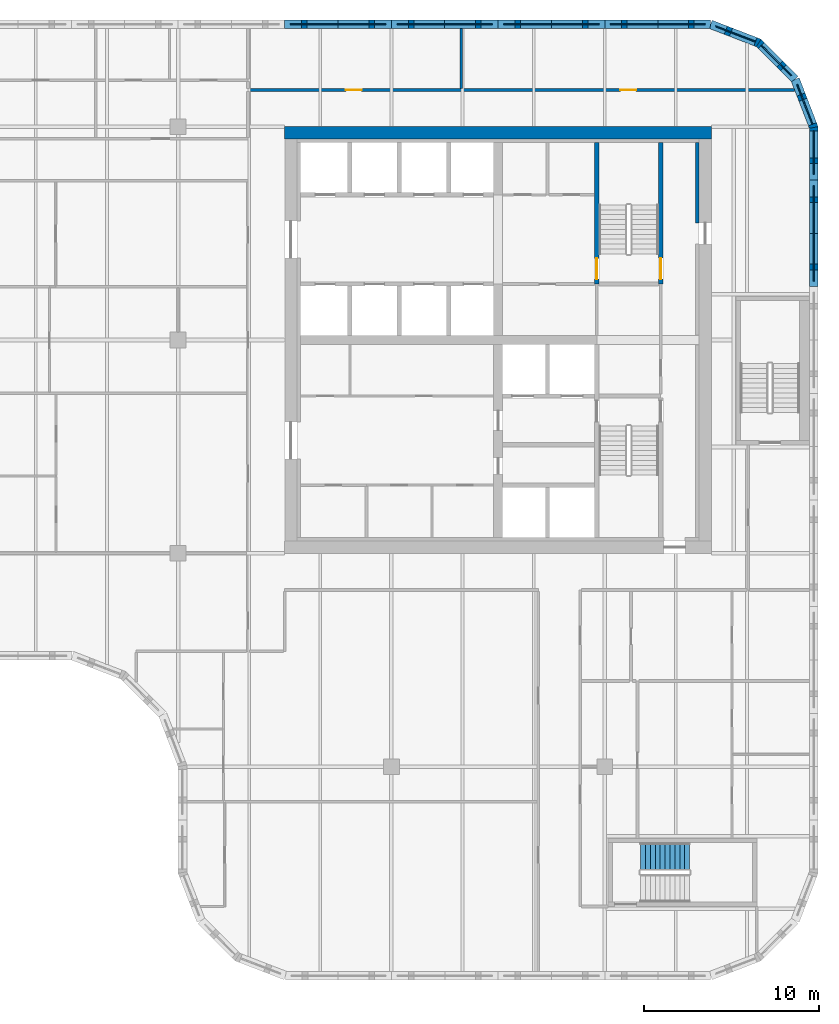
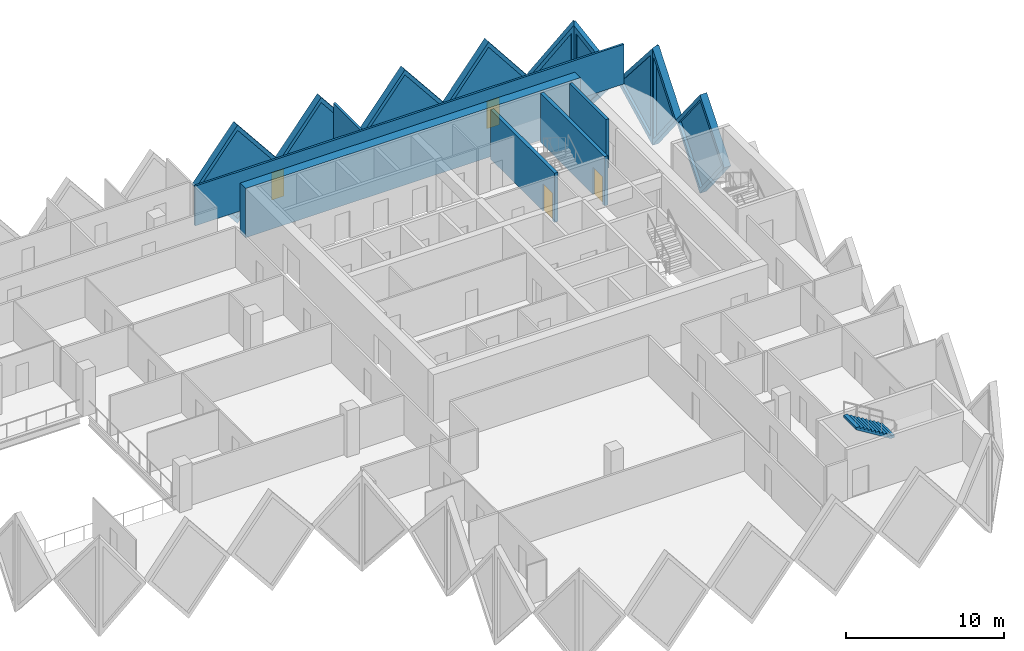
# One storey, part 10 of 12: 15 walls, 9 plates, 4 doors, 1 stair flight, 13 openings, 1 element without a shape of its own.
"""IFC4 building model written with IfcOpenShell, lengths in metres."""

from ifc_helpers import new_model, si_unit, direction, frame, frame_2d, origin, place, context, subcontext, project, spatial, polyline, rectangle, outline, extrude, faceted_brep, source, transform, mapped, material, layer, layer_set, type_object, element, fill, aggregate, save


model = new_model("IFC4")

# Units and contexts
model_context = context("Model", 3, precision=1e-05, world=origin(), true_north=direction((0.0, 1.0)))
body_context = subcontext(model_context, "Body", "Model", "MODEL_VIEW")
ifc_project = project(units=[si_unit("LENGTHUNIT", "METRE"), si_unit("AREAUNIT", "SQUARE_METRE"), si_unit("VOLUMEUNIT", "CUBIC_METRE"), si_unit("PLANEANGLEUNIT", "RADIAN"), si_unit("MASSUNIT", "GRAM", prefix="KILO")], contexts=[model_context])

# Site, building, storey
site_placement = place(None, origin())
site = spatial("IfcSite", under=ifc_project, at=site_placement, CompositionType="ELEMENT")
building_placement = place(site_placement, origin())
building = spatial("IfcBuilding", under=site, at=building_placement, Name="Tessera Gate Towers", CompositionType="ELEMENT")
storey_placement = place(building_placement, frame((0.0, 0.0, 139.199951171875)))
storey = spatial("IfcBuildingStorey", under=building, at=storey_placement, Name="L34", CompositionType="ELEMENT", Elevation=139.199951171875)

# Wall, opening, door
ifc_material_1 = material(Name="Concrete C40/50", Category="concrete")
ifc_layer_1 = layer(ifc_material_1, 0.25)
ifc_layer_set_1 = layer_set([ifc_layer_1], Name="CORE ENCLOSURE WALL 250")
wall_type_1 = type_object("IfcWallType", Name="CORE ENCLOSURE WALL 250", PredefinedType="SOLIDWALL", material=ifc_layer_set_1)
wall_1_placement = place(storey_placement, frame((48.35009765625, 47.89990234375, 0.0), z_axis=(0.0, 0.0, 1.0), x_axis=(0.0, -1.0, 0.0)))
wall_1 = element("IfcWall", 1, at=wall_1_placement, inside=storey, type_object=wall_type_1, Name="L34 shaft and stair enclosure wall", PredefinedType="SOLIDWALL", context=body_context, shape_type="SweptSolid", body=[
    extrude(rectangle(XDim=8.099853515625, YDim=0.25, at=frame_2d((4.0498046875, 0.0))), origin(), (0.0, 0.0, 1.0), 3.800048828125),
])
shared_shape_1 = source(origin(), body_context, "Body", "SweptSolid", [
    extrude(rectangle(XDim=1.199951171875, YDim=2.10009765625, at=frame_2d((0.60009765625, 1.050048828125))), frame((0.0, 0.135009765625, 0.0), z_axis=(0.0, -1.0, 0.0), x_axis=(1.0, 0.0, 0.0)), (0.0, 0.0, 1.0), 0.27001953125),
])
opening_1_placement = place(wall_1_placement, frame((6.625, 0.0, 0.0)))
opening_1 = element("IfcOpeningElement", 2, at=opening_1_placement, cuts=wall_1, Name="Opening SD-ST2-1", PredefinedType="OPENING", context=body_context, shape_type="MappedRepresentation", body=[
    mapped(shared_shape_1, transform((0.0, 0.0, 0.0), scale=1.0)),
])
ifc_material_2 = material(Name="Hollow steel fire door", Category="steel")
door_type_1 = type_object("IfcDoorType", Name="CORE DOOR SD 1200x2100", OperationType="NOTDEFINED", PredefinedType="DOOR", material=ifc_material_2)
shared_shape_2 = source(origin(), body_context, "Body", "SweptSolid", [
    extrude(rectangle(XDim=1.199951171875, YDim=2.10009765625, at=frame_2d((0.60009765625, 1.050048828125))), frame((0.0, 0.02490234375, 0.0), z_axis=(0.0, -1.0, 0.0), x_axis=(1.0, 0.0, 0.0)), (0.0, 0.0, 1.0), 0.050048828125),
])
door_1_placement = place(opening_1_placement, origin())
door_1 = element("IfcDoor", 3, at=door_1_placement, inside=storey, type_object=door_type_1, Name="Stair door", OperationType="SINGLE_SWING_RIGHT", OverallHeight=2.10009765625, OverallWidth=1.199951171875, PredefinedType="DOOR", context=body_context, shape_type="MappedRepresentation", body=[
    mapped(shared_shape_2, transform((0.0, 0.0, 0.0), scale=1.0)),
])
fill(opening_1, door_1)

wall_2_placement = place(storey_placement, frame((52.0, 39.800048828125, 0.0), z_axis=(0.0, 0.0, 1.0), x_axis=(0.0, 1.0, 0.0)))
wall_2 = element("IfcWall", 4, at=wall_2_placement, inside=storey, type_object=wall_type_1, Name="L34 shaft and stair enclosure wall", PredefinedType="SOLIDWALL", context=body_context, shape_type="SweptSolid", body=[
    extrude(rectangle(XDim=8.099853515625, YDim=0.25, at=frame_2d((4.0498046875, 0.0))), origin(), (0.0, 0.0, 1.0), 3.800048828125),
])
opening_2_placement = place(wall_2_placement, frame((0.27490234375, 0.0, 0.0)))
opening_2 = element("IfcOpeningElement", 5, at=opening_2_placement, cuts=wall_2, Name="Opening SD-ST2-2", PredefinedType="OPENING", context=body_context, shape_type="MappedRepresentation", body=[
    mapped(shared_shape_1, transform((0.0, 0.0, 0.0), scale=1.0)),
])
door_2_placement = place(opening_2_placement, origin())
door_2 = element("IfcDoor", 6, at=door_2_placement, inside=storey, type_object=door_type_1, Name="Stair door", OperationType="SINGLE_SWING_LEFT", OverallHeight=2.10009765625, OverallWidth=1.199951171875, PredefinedType="DOOR", context=body_context, shape_type="MappedRepresentation", body=[
    mapped(shared_shape_2, transform((0.0, 0.0, 0.0), scale=1.0)),
])
fill(opening_2, door_2)

# Walls
ifc_material_3 = material(Name="Concrete C60/75", Category="concrete")
ifc_layer_2 = layer(ifc_material_3, 0.699951171875)
ifc_layer_set_2 = layer_set([ifc_layer_2], Name="CORE SHEAR WALL 700 C60/75")
wall_type_2 = type_object("IfcWallType", Name="CORE SHEAR WALL 700 C60/75", PredefinedType="SHEAR", material=ifc_layer_set_2)
wall_3_placement = place(storey_placement, frame((30.5, 48.449951171875, 0.0), z_axis=(0.0, 0.0, 1.0), x_axis=(1.0, 0.0, 0.0)))
element("IfcWall", 7, at=wall_3_placement, inside=storey, type_object=wall_type_2, Name="Core wall N L34", PredefinedType="SHEAR", context=body_context, shape_type="SweptSolid", body=[
    extrude(rectangle(XDim=24.39990234375, YDim=0.699951171875, at=frame_2d((12.199951171875, 0.0))), origin(), (0.0, 0.0, 1.0), 3.800048828125),
])
ifc_material_4 = material(Name="Concrete C60/75", Category="concrete")
ifc_layer_3 = layer(ifc_material_4, 0.199951171875)
ifc_layer_set_3 = layer_set([ifc_layer_3], Name="CORE WALL THICKENING 200")
wall_type_3 = type_object("IfcWallType", Name="CORE WALL THICKENING 200", PredefinedType="SOLIDWALL", material=ifc_layer_set_3)
wall_4_placement = place(storey_placement, frame((54.10009765625, 43.300048828125, 0.0), z_axis=(0.0, 0.0, 1.0), x_axis=(0.0, 1.0, 0.0)))
element("IfcWall", 8, at=wall_4_placement, inside=storey, type_object=wall_type_3, Name="Core wall thickening E L34", PredefinedType="SOLIDWALL", context=body_context, shape_type="SweptSolid", body=[
    extrude(rectangle(XDim=4.599853515625, YDim=0.199951171875, at=frame_2d((2.2998046875, 0.0))), origin(), (0.0, 0.0, 1.0), 3.800048828125),
])

# Wall, openings, doors
ifc_material_5 = material(Name="Gypsum board on steel studs, mineral wool", Category="steel")
ifc_layer_4 = layer(ifc_material_5, 0.14990234375)
ifc_layer_set_4 = layer_set([ifc_layer_4], Name="CORRIDOR WALL 150")
wall_type_4 = type_object("IfcWallType", Name="CORRIDOR WALL 150", PredefinedType="PARTITIONING", material=ifc_layer_set_4)
wall_5_placement = place(storey_placement, frame((28.39990234375, 50.89990234375, 0.0), z_axis=(0.0, 0.0, 1.0), x_axis=(1.0, 0.0, 0.0)))
wall_5 = element("IfcWall", 9, at=wall_5_placement, inside=storey, type_object=wall_type_4, Name="T1-L34-PW-050", PredefinedType="PARTITIONING", context=body_context, shape_type="SweptSolid", body=[
    extrude(rectangle(XDim=31.254150390625, YDim=0.14990234375, at=frame_2d((15.626953125, 0.0))), origin(), (0.0, 0.0, 1.0), 3.067138671875),
])
shared_shape_3 = source(origin(), body_context, "Body", "SweptSolid", [
    extrude(rectangle(XDim=0.89990234375, YDim=2.10009765625, at=frame_2d((0.449951171875, 1.050048828125))), frame((0.0, 0.0849609375, 0.0), z_axis=(0.0, -1.0, 0.0), x_axis=(1.0, 0.0, 0.0)), (0.0, 0.0, 1.0), 0.169921875),
])
opening_3_placement = place(wall_5_placement, frame((5.60009765625, 0.0, 0.0)))
opening_3 = element("IfcOpeningElement", 10, at=opening_3_placement, cuts=wall_5, Name="Opening D890FD60-A12-09", PredefinedType="OPENING", context=body_context, shape_type="MappedRepresentation", body=[
    mapped(shared_shape_3, transform((0.0, 0.0, 0.0), scale=1.0)),
])
opening_4_placement = place(wall_5_placement, frame((21.300048828125, 0.0, 0.0)))
opening_4 = element("IfcOpeningElement", 11, at=opening_4_placement, cuts=wall_5, Name="Opening D890FD60-A12-10", PredefinedType="OPENING", context=body_context, shape_type="MappedRepresentation", body=[
    mapped(shared_shape_3, transform((0.0, 0.0, 0.0), scale=1.0)),
])
ifc_material_6 = material(Name="Timber door leaf in steel frame", Category="steel")
door_type_2 = type_object("IfcDoorType", Name="CORRIDOR DOOR 900 FD60", OperationType="NOTDEFINED", PredefinedType="DOOR", material=ifc_material_6)
shared_shape_4 = source(origin(), body_context, "Body", "SweptSolid", [
    extrude(rectangle(XDim=0.89990234375, YDim=2.10009765625, at=frame_2d((0.449951171875, 1.050048828125))), frame((0.0, 0.02490234375, 0.0), z_axis=(0.0, -1.0, 0.0), x_axis=(1.0, 0.0, 0.0)), (0.0, 0.0, 1.0), 0.050048828125),
])
door_3_placement = place(opening_3_placement, origin())
door_3 = element("IfcDoor", 12, at=door_3_placement, inside=storey, type_object=door_type_2, Name="T1-L34-PD-029", OperationType="SINGLE_SWING_LEFT", OverallHeight=2.10009765625, OverallWidth=0.89990234375, PredefinedType="DOOR", context=body_context, shape_type="MappedRepresentation", body=[
    mapped(shared_shape_4, transform((0.0, 0.0, 0.0), scale=1.0)),
])
fill(opening_3, door_3)
door_4_placement = place(opening_4_placement, origin())
door_4 = element("IfcDoor", 13, at=door_4_placement, inside=storey, type_object=door_type_2, Name="T1-L34-PD-032", OperationType="SINGLE_SWING_LEFT", OverallHeight=2.10009765625, OverallWidth=0.89990234375, PredefinedType="DOOR", context=body_context, shape_type="MappedRepresentation", body=[
    mapped(shared_shape_4, transform((0.0, 0.0, 0.0), scale=1.0)),
])
fill(opening_4, door_4)

# Wall
ifc_material_7 = material(Name="Gypsum board on steel studs, mineral wool", Category="steel")
ifc_layer_5 = layer(ifc_material_7, 0.14990234375)
ifc_layer_set_5 = layer_set([ifc_layer_5], Name="TENANCY WALL 150")
wall_type_5 = type_object("IfcWallType", Name="TENANCY WALL 150", PredefinedType="PARTITIONING", material=ifc_layer_set_5)
wall_6_placement = place(storey_placement, frame((40.60009765625, 50.97607421875, 0.0), z_axis=(0.0, 0.0, 1.0), x_axis=(0.0, 1.0, 0.0)))
element("IfcWall", 14, at=wall_6_placement, inside=storey, type_object=wall_type_5, Name="T1-L34-PW-052", PredefinedType="PARTITIONING", context=body_context, shape_type="SweptSolid", body=[
    extrude(rectangle(XDim=3.423828125, YDim=0.14990234375, at=frame_2d((1.7119140625, 0.0))), origin(), (0.0, 0.0, 1.0), 3.067138671875),
])

# Wall, opening, plate
ifc_material_8 = material(Name="Precast concrete C60/75 white", Category="concrete")
ifc_layer_6 = layer(ifc_material_8, 0.5)
ifc_layer_set_6 = layer_set([ifc_layer_6], Name="TS1 tessera")
wall_type_6 = type_object("IfcWallType", Name="TS1 tessera", PredefinedType="SOLIDWALL", material=ifc_layer_set_6)
shared_shape_5 = source(origin(), body_context, "Body", "Brep", [
    faceted_brep([(3.00341796875, -0.25, 0.0), (6.053466796875, -0.25, 3.800048828125), (3.00341796875, -0.25, 7.60009765625), (0.0, -0.25, 3.800048828125), (0.046630859375, 0.25, 3.85888671875), (3.00341796875, 0.25, 7.60009765625), (6.053466796875, 0.25, 3.800048828125), (3.00341796875, 0.25, 0.0), (0.046630859375, 0.25, 3.7412109375), (0.0, 0.0, 3.800048828125)], [[[0, 1, 2, 3]], [[4, 5, 6, 7, 8]], [[7, 6, 1, 0]], [[6, 5, 2, 1]], [[5, 4, 9, 3, 2]], [[8, 7, 0, 3, 9]], [[8, 9, 4]]]),
])
wall_7_placement = place(storey_placement, frame((54.853515625, 54.64990234375, -3.800048828125), z_axis=(0.0, 0.0, 1.0), x_axis=(-1.0, 0.0, 0.0)))
wall_7 = element("IfcWall", 15, at=wall_7_placement, inside=storey, type_object=wall_type_6, Name="Precast tessera T1 TS1-0585", PredefinedType="SOLIDWALL", context=body_context, shape_type="MappedRepresentation", body=[
    mapped(shared_shape_5, transform((0.0, 0.0, 0.0), scale=1.0)),
])
shared_shape_6 = source(origin(), body_context, "Body", "SweptSolid", [
    extrude(outline(polyline([(3.0048828125, 0.4013671875), (5.73291015625, 3.800048828125), (3.0048828125, 7.19873046875), (0.318603515625, 3.800048828125), (3.0048828125, 0.4013671875)])), frame((0.0, 0.260009765625, 0.0), z_axis=(0.0, -1.0, 0.0), x_axis=(1.0, 0.0, 0.0)), (0.0, 0.0, 1.0), 0.52001953125),
])
opening_5_placement = place(wall_7_placement, origin())
opening_5 = element("IfcOpeningElement", 16, at=opening_5_placement, cuts=wall_7, Name="Opening T1-PL2-1193", PredefinedType="OPENING", context=body_context, shape_type="MappedRepresentation", body=[
    mapped(shared_shape_6, transform((0.0, 0.0, 0.0), scale=1.0)),
])
ifc_material_9 = material(Name="Low-e laminated glass", Category="glass")
ifc_layer_7 = layer(ifc_material_9, 0.06005859375)
ifc_layer_set_7 = layer_set([ifc_layer_7], Name="PL2 rhombic pane")
plate_type = type_object("IfcPlateType", Name="PL2 rhombic pane", PredefinedType="SHEET", material=ifc_layer_set_7)
shared_shape_7 = source(origin(), body_context, "Body", "SweptSolid", [
    extrude(outline(polyline([(3.0048828125, 0.4013671875), (5.73291015625, 3.800048828125), (3.0048828125, 7.19873046875), (0.318603515625, 3.800048828125), (3.0048828125, 0.4013671875)])), frame((0.0, 0.030029296875, 0.0), z_axis=(0.0, -1.0, 0.0), x_axis=(1.0, 0.0, 0.0)), (0.0, 0.0, 1.0), 0.06005859375),
])
plate_1_placement = place(opening_5_placement, origin())
plate_1 = element("IfcPlate", 17, at=plate_1_placement, inside=storey, type_object=plate_type, Name="Glass pane T1 PL2-1193", PredefinedType="SHEET", context=body_context, shape_type="MappedRepresentation", body=[
    mapped(shared_shape_7, transform((0.0, 0.0, 0.0), scale=1.0)),
])
fill(opening_5, plate_1)

shared_shape_8 = source(origin(), body_context, "Body", "Brep", [
    faceted_brep([(3.050048828125, -0.25, 0.0), (6.099853515625, -0.25, 3.7998046875), (6.099853515625, -0.25, 3.80029296875), (3.050048828125, -0.25, 7.60009765625), (0.0, -0.25, 3.800048828125), (0.0, 0.25, 3.800048828125), (3.050048828125, 0.25, 7.60009765625), (6.099853515625, 0.25, 3.80029296875), (6.099853515625, 0.25, 3.7998046875), (3.050048828125, 0.25, 0.0)], [[[0, 1, 2, 3, 4]], [[5, 6, 7, 8, 9]], [[9, 8, 1, 0]], [[7, 6, 3, 2]], [[6, 5, 4, 3]], [[5, 9, 0, 4]], [[1, 8, 7, 2]]]),
])
wall_8_placement = place(storey_placement, frame((42.699951171875, 54.64990234375, -3.800048828125), z_axis=(0.0, 0.0, 1.0), x_axis=(-1.0, 0.0, 0.0)))
wall_8 = element("IfcWall", 18, at=wall_8_placement, inside=storey, type_object=wall_type_6, Name="Precast tessera T1 TS1-0587", PredefinedType="SOLIDWALL", context=body_context, shape_type="MappedRepresentation", body=[
    mapped(shared_shape_8, transform((0.0, 0.0, 0.0), scale=1.0)),
])
shared_shape_9 = source(origin(), body_context, "Body", "SweptSolid", [
    extrude(outline(polyline([(3.050048828125, 0.3994140625), (5.779541015625, 3.800048828125), (3.050048828125, 7.20068359375), (0.320556640625, 3.800048828125), (3.050048828125, 0.3994140625)])), frame((0.0, 0.260009765625, 0.0), z_axis=(0.0, -1.0, 0.0), x_axis=(1.0, 0.0, 0.0)), (0.0, 0.0, 1.0), 0.52001953125),
])
opening_6_placement = place(wall_8_placement, origin())
opening_6 = element("IfcOpeningElement", 19, at=opening_6_placement, cuts=wall_8, Name="Opening T1-PL2-1195", PredefinedType="OPENING", context=body_context, shape_type="MappedRepresentation", body=[
    mapped(shared_shape_9, transform((0.0, 0.0, 0.0), scale=1.0)),
])
shared_shape_10 = source(origin(), body_context, "Body", "SweptSolid", [
    extrude(outline(polyline([(3.050048828125, 0.3994140625), (5.779541015625, 3.800048828125), (3.050048828125, 7.20068359375), (0.320556640625, 3.800048828125), (3.050048828125, 0.3994140625)])), frame((0.0, 0.030029296875, 0.0), z_axis=(0.0, -1.0, 0.0), x_axis=(1.0, 0.0, 0.0)), (0.0, 0.0, 1.0), 0.06005859375),
])
plate_2_placement = place(opening_6_placement, origin())
plate_2 = element("IfcPlate", 20, at=plate_2_placement, inside=storey, type_object=plate_type, Name="Glass pane T1 PL2-1195", PredefinedType="SHEET", context=body_context, shape_type="MappedRepresentation", body=[
    mapped(shared_shape_10, transform((0.0, 0.0, 0.0), scale=1.0)),
])
fill(opening_6, plate_2)

shared_shape_11 = source(origin(), body_context, "Body", "SweptSolid", [
    extrude(outline(polyline([(3.050048828125, 0.0), (6.10009765625, 3.800048828125), (3.050048828125, 7.60009765625), (0.0, 3.800048828125), (3.050048828125, 0.0)])), frame((0.0, 0.25, 0.0), z_axis=(0.0, -1.0, 0.0), x_axis=(1.0, 0.0, 0.0)), (0.0, 0.0, 1.0), 0.5),
])
wall_9_placement = place(storey_placement, frame((60.75, 39.64990234375, -3.800048828125), z_axis=(0.0, 0.0, 1.0), x_axis=(0.0, 1.0, 0.0)))
wall_9 = element("IfcWall", 21, at=wall_9_placement, inside=storey, type_object=wall_type_6, Name="Precast tessera T1 TS1-0584", PredefinedType="SOLIDWALL", context=body_context, shape_type="MappedRepresentation", body=[
    mapped(shared_shape_11, transform((0.0, 0.0, 0.0), scale=1.0)),
])
opening_7_placement = place(wall_9_placement, origin())
opening_7 = element("IfcOpeningElement", 22, at=opening_7_placement, cuts=wall_9, Name="Opening T1-PL2-1188", PredefinedType="OPENING", context=body_context, shape_type="MappedRepresentation", body=[
    mapped(shared_shape_9, transform((0.0, 0.0, 0.0), scale=1.0)),
])
plate_3_placement = place(opening_7_placement, origin())
plate_3 = element("IfcPlate", 23, at=plate_3_placement, inside=storey, type_object=plate_type, Name="Glass pane T1 PL2-1188", PredefinedType="SHEET", context=body_context, shape_type="MappedRepresentation", body=[
    mapped(shared_shape_10, transform((0.0, 0.0, 0.0), scale=1.0)),
])
fill(opening_7, plate_3)

wall_10_placement = place(storey_placement, frame((48.800048828125, 54.64990234375, -3.800048828125), z_axis=(0.0, 0.0, 1.0), x_axis=(-1.0, 0.0, 0.0)))
wall_10 = element("IfcWall", 24, at=wall_10_placement, inside=storey, type_object=wall_type_6, Name="Precast tessera T1 TS1-0586", PredefinedType="SOLIDWALL", context=body_context, shape_type="MappedRepresentation", body=[
    mapped(shared_shape_11, transform((0.0, 0.0, 0.0), scale=1.0)),
])
opening_8_placement = place(wall_10_placement, origin())
opening_8 = element("IfcOpeningElement", 25, at=opening_8_placement, cuts=wall_10, Name="Opening T1-PL2-1194", PredefinedType="OPENING", context=body_context, shape_type="MappedRepresentation", body=[
    mapped(shared_shape_9, transform((0.0, 0.0, 0.0), scale=1.0)),
])
plate_4_placement = place(opening_8_placement, origin())
plate_4 = element("IfcPlate", 26, at=plate_4_placement, inside=storey, type_object=plate_type, Name="Glass pane T1 PL2-1194", PredefinedType="SHEET", context=body_context, shape_type="MappedRepresentation", body=[
    mapped(shared_shape_10, transform((0.0, 0.0, 0.0), scale=1.0)),
])
fill(opening_8, plate_4)

wall_11_placement = place(storey_placement, frame((36.60009765625, 54.64990234375, -3.800048828125), z_axis=(0.0, 0.0, 1.0), x_axis=(-1.0, 0.0, 0.0)))
wall_11 = element("IfcWall", 27, at=wall_11_placement, inside=storey, type_object=wall_type_6, Name="Precast tessera T1 TS1-0588", PredefinedType="SOLIDWALL", context=body_context, shape_type="MappedRepresentation", body=[
    mapped(shared_shape_11, transform((0.0, 0.0, 0.0), scale=1.0)),
])
opening_9_placement = place(wall_11_placement, origin())
opening_9 = element("IfcOpeningElement", 28, at=opening_9_placement, cuts=wall_11, Name="Opening T1-PL2-1196", PredefinedType="OPENING", context=body_context, shape_type="MappedRepresentation", body=[
    mapped(shared_shape_9, transform((0.0, 0.0, 0.0), scale=1.0)),
])
plate_5_placement = place(opening_9_placement, origin())
plate_5 = element("IfcPlate", 29, at=plate_5_placement, inside=storey, type_object=plate_type, Name="Glass pane T1 PL2-1196", PredefinedType="SHEET", context=body_context, shape_type="MappedRepresentation", body=[
    mapped(shared_shape_10, transform((0.0, 0.0, 0.0), scale=1.0)),
])
fill(opening_9, plate_5)

ifc_material_10 = material(Name="Precast concrete C60/75 white", Category="concrete")
ifc_layer_8 = layer(ifc_material_10, 0.5)
ifc_layer_set_8 = layer_set([ifc_layer_8], Name="TS3 corner tessera")
wall_type_7 = type_object("IfcWallType", Name="TS3 corner tessera", PredefinedType="SOLIDWALL", material=ifc_layer_set_8)
shared_shape_12 = source(origin(), body_context, "Body", "Brep", [
    faceted_brep([(3.00341796875, -0.25, 0.0), (3.050048828125, -0.25, 0.06005859375), (3.050048828125, -0.25, 7.5400390625), (3.00341796875, -0.25, 7.60009765625), (0.0, -0.25, 3.800048828125), (0.0, 0.25, 3.800048828125), (2.956787109375, 0.25, 7.541259765625), (2.956787109375, 0.25, 0.058837890625), (3.00341796875, 0.000244140625, 0.0), (3.00341796875, 0.000244140625, 7.60009765625)], [[[0, 1, 2, 3, 4]], [[5, 6, 7]], [[1, 0, 8]], [[9, 3, 2]], [[6, 5, 4, 3, 9]], [[5, 7, 8, 0, 4]], [[1, 8, 7, 6, 9, 2]]]),
])
wall_12_placement = place(storey_placement, frame((60.75, 45.75, -3.800048828125), z_axis=(0.0, 0.0, 1.0), x_axis=(0.0, 1.0, 0.0)))
wall_12 = element("IfcWall", 30, at=wall_12_placement, inside=storey, type_object=wall_type_7, Name="Precast corner tessera T1 TS3-0773", PredefinedType="SOLIDWALL", context=body_context, shape_type="MappedRepresentation", body=[
    mapped(shared_shape_12, transform((0.0, 0.0, 0.0), scale=1.0)),
])
shared_shape_13 = source(origin(), body_context, "Body", "SweptSolid", [
    extrude(outline(polyline([(2.803466796875, 6.94384765625), (0.318603515625, 3.800048828125), (2.803466796875, 0.65625), (2.803466796875, 6.94384765625)])), frame((0.0, 0.260009765625, 0.0), z_axis=(0.0, -1.0, 0.0), x_axis=(1.0, 0.0, 0.0)), (0.0, 0.0, 1.0), 0.52001953125),
])
opening_10_placement = place(wall_12_placement, origin())
opening_10 = element("IfcOpeningElement", 31, at=opening_10_placement, cuts=wall_12, Name="Opening T1-PL2-1189", PredefinedType="OPENING", context=body_context, shape_type="MappedRepresentation", body=[
    mapped(shared_shape_13, transform((0.0, 0.0, 0.0), scale=1.0)),
])
shared_shape_14 = source(origin(), body_context, "Body", "SweptSolid", [
    extrude(outline(polyline([(2.803466796875, 6.94384765625), (0.318603515625, 3.800048828125), (2.803466796875, 0.65625), (2.803466796875, 6.94384765625)])), frame((0.0, 0.030029296875, 0.0), z_axis=(0.0, -1.0, 0.0), x_axis=(1.0, 0.0, 0.0)), (0.0, 0.0, 1.0), 0.06005859375),
])
plate_6_placement = place(opening_10_placement, origin())
plate_6 = element("IfcPlate", 32, at=plate_6_placement, inside=storey, type_object=plate_type, Name="Glass pane T1 PL2-1189", PredefinedType="SHEET", context=body_context, shape_type="MappedRepresentation", body=[
    mapped(shared_shape_14, transform((0.0, 0.0, 0.0), scale=1.0)),
])
fill(opening_10, plate_6)

shared_shape_15 = source(origin(), body_context, "Body", "Brep", [
    faceted_brep([(0.046630859375, -0.25, 0.0), (2.9970703125, -0.25, 3.800048828125), (0.046630859375, -0.25, 7.60009765625), (0.0, -0.25, 7.541259765625), (0.0, -0.25, 0.058837890625), (0.09326171875, 0.25, 7.5400390625), (2.9443359375, 0.25, 3.8681640625), (2.9443359375, 0.25, 3.73193359375), (0.09326171875, 0.25, 0.06005859375), (2.9970703125, 0.00048828125, 3.800048828125), (0.046630859375, 0.0, 0.0), (0.046630859375, 0.0, 7.60009765625)], [[[0, 1, 2, 3, 4]], [[5, 6, 7, 8]], [[8, 7, 9, 1, 0, 10]], [[6, 5, 11, 2, 1, 9]], [[3, 2, 11]], [[10, 0, 4]], [[8, 10, 4, 3, 11, 5]], [[9, 7, 6]]]),
])
wall_13_placement = place(storey_placement, frame((60.766845703125, 48.7099609375, -3.800048828125), z_axis=(0.0, 0.0, 1.0), x_axis=(-0.359901446078, 0.932990326376, 0.0)))
wall_13 = element("IfcWall", 33, at=wall_13_placement, inside=storey, type_object=wall_type_7, Name="Precast corner tessera T1 TS3-0774", PredefinedType="SOLIDWALL", context=body_context, shape_type="MappedRepresentation", body=[
    mapped(shared_shape_15, transform((0.0, 0.0, 0.0), scale=1.0)),
])
shared_shape_16 = source(origin(), body_context, "Body", "SweptSolid", [
    extrude(outline(polyline([(0.24658203125, 0.665283203125), (2.6806640625, 3.800048828125), (0.24658203125, 6.934814453125), (0.24658203125, 0.665283203125)])), frame((0.0, 0.260009765625, 0.0), z_axis=(0.0, -1.0, 0.0), x_axis=(1.0, 0.0, 0.0)), (0.0, 0.0, 1.0), 0.52001953125),
])
opening_11_placement = place(wall_13_placement, origin())
opening_11 = element("IfcOpeningElement", 34, at=opening_11_placement, cuts=wall_13, Name="Opening T1-PL2-1190", PredefinedType="OPENING", context=body_context, shape_type="MappedRepresentation", body=[
    mapped(shared_shape_16, transform((0.0, 0.0, 0.0), scale=1.0)),
])
shared_shape_17 = source(origin(), body_context, "Body", "SweptSolid", [
    extrude(outline(polyline([(0.24658203125, 0.665283203125), (2.6806640625, 3.800048828125), (0.24658203125, 6.934814453125), (0.24658203125, 0.665283203125)])), frame((0.0, 0.030029296875, 0.0), z_axis=(0.0, -1.0, 0.0), x_axis=(1.0, 0.0, 0.0)), (0.0, 0.0, 1.0), 0.06005859375),
])
plate_7_placement = place(opening_11_placement, origin())
plate_7 = element("IfcPlate", 35, at=plate_7_placement, inside=storey, type_object=plate_type, Name="Glass pane T1 PL2-1190", PredefinedType="SHEET", context=body_context, shape_type="MappedRepresentation", body=[
    mapped(shared_shape_17, transform((0.0, 0.0, 0.0), scale=1.0)),
])
fill(opening_11, plate_7)

shared_shape_18 = source(origin(), body_context, "Body", "Brep", [
    faceted_brep([(2.944091796875, -0.25, 0.0), (2.9970703125, -0.25, 0.068115234375), (2.9970703125, -0.25, 7.531982421875), (2.944091796875, -0.25, 7.60009765625), (0.0, -0.25, 3.800048828125), (0.052978515625, 0.25, 3.868408203125), (2.89111328125, 0.25, 7.531982421875), (2.89111328125, 0.25, 0.068115234375), (0.052978515625, 0.25, 3.731689453125), (2.944091796875, 0.000244140625, 0.0), (2.944091796875, 0.000244140625, 7.60009765625), (0.0, 0.0, 3.800048828125)], [[[0, 1, 2, 3, 4]], [[5, 6, 7, 8]], [[1, 0, 9]], [[10, 3, 2]], [[6, 5, 11, 4, 3, 10]], [[8, 7, 9, 0, 4, 11]], [[8, 11, 5]], [[1, 9, 7, 6, 10, 2]]]),
])
wall_14_placement = place(storey_placement, frame((59.68798828125, 51.50634765625, -3.800048828125), z_axis=(0.0, 0.0, 1.0), x_axis=(-0.707106781187, 0.707106781187, 0.0)))
wall_14 = element("IfcWall", 36, at=wall_14_placement, inside=storey, type_object=wall_type_7, Name="Precast corner tessera T1 TS3-0775", PredefinedType="SOLIDWALL", context=body_context, shape_type="MappedRepresentation", body=[
    mapped(shared_shape_18, transform((0.0, 0.0, 0.0), scale=1.0)),
])
shared_shape_19 = source(origin(), body_context, "Body", "SweptSolid", [
    extrude(outline(polyline([(2.744140625, 6.933837890625), (0.316162109375, 3.800048828125), (2.744140625, 0.66650390625), (2.744140625, 6.933837890625)])), frame((0.0, 0.260009765625, 0.0), z_axis=(0.0, -1.0, 0.0), x_axis=(1.0, 0.0, 0.0)), (0.0, 0.0, 1.0), 0.52001953125),
])
opening_12_placement = place(wall_14_placement, origin())
opening_12 = element("IfcOpeningElement", 37, at=opening_12_placement, cuts=wall_14, Name="Opening T1-PL2-1191", PredefinedType="OPENING", context=body_context, shape_type="MappedRepresentation", body=[
    mapped(shared_shape_19, transform((0.0, 0.0, 0.0), scale=1.0)),
])
shared_shape_20 = source(origin(), body_context, "Body", "SweptSolid", [
    extrude(outline(polyline([(2.744140625, 6.933837890625), (0.316162109375, 3.800048828125), (2.744140625, 0.66650390625), (2.744140625, 6.933837890625)])), frame((0.0, 0.030029296875, 0.0), z_axis=(0.0, -1.0, 0.0), x_axis=(1.0, 0.0, 0.0)), (0.0, 0.0, 1.0), 0.06005859375),
])
plate_8_placement = place(opening_12_placement, origin())
plate_8 = element("IfcPlate", 38, at=plate_8_placement, inside=storey, type_object=plate_type, Name="Glass pane T1 PL2-1191", PredefinedType="SHEET", context=body_context, shape_type="MappedRepresentation", body=[
    mapped(shared_shape_20, transform((0.0, 0.0, 0.0), scale=1.0)),
])
fill(opening_12, plate_8)

shared_shape_21 = source(origin(), body_context, "Body", "Brep", [
    faceted_brep([(0.052978515625, -0.25, 0.0), (3.00341796875, -0.25, 3.800048828125), (0.052978515625, -0.25, 7.60009765625), (0.0, -0.25, 7.53173828125), (0.0, -0.25, 0.068359375), (0.10595703125, 0.25, 7.531982421875), (2.95703125, 0.25, 3.85986328125), (2.95703125, 0.25, 3.740234375), (0.10595703125, 0.25, 0.068115234375), (3.00341796875, 0.00048828125, 3.800048828125), (0.052978515625, 0.0, 0.0), (0.052978515625, 0.0, 7.60009765625)], [[[0, 1, 2, 3, 4]], [[5, 6, 7, 8]], [[8, 7, 9, 1, 0, 10]], [[6, 5, 11, 2, 1, 9]], [[3, 2, 11]], [[10, 0, 4]], [[8, 10, 4, 3, 11, 5]], [[9, 7, 6]]]),
])
wall_15_placement = place(storey_placement, frame((57.65576171875, 53.569091796875, -3.800048828125), z_axis=(0.0, 0.0, 1.0), x_axis=(-0.933007896601, 0.359855894603, 0.0)))
wall_15 = element("IfcWall", 39, at=wall_15_placement, inside=storey, type_object=wall_type_7, Name="Precast corner tessera T1 TS3-0776", PredefinedType="SOLIDWALL", context=body_context, shape_type="MappedRepresentation", body=[
    mapped(shared_shape_21, transform((0.0, 0.0, 0.0), scale=1.0)),
])
shared_shape_22 = source(origin(), body_context, "Body", "SweptSolid", [
    extrude(outline(polyline([(0.2529296875, 0.665283203125), (2.68701171875, 3.800048828125), (0.2529296875, 6.934814453125), (0.2529296875, 0.665283203125)])), frame((0.0, 0.260009765625, 0.0), z_axis=(0.0, -1.0, 0.0), x_axis=(1.0, 0.0, 0.0)), (0.0, 0.0, 1.0), 0.52001953125),
])
opening_13_placement = place(wall_15_placement, origin())
opening_13 = element("IfcOpeningElement", 40, at=opening_13_placement, cuts=wall_15, Name="Opening T1-PL2-1192", PredefinedType="OPENING", context=body_context, shape_type="MappedRepresentation", body=[
    mapped(shared_shape_22, transform((0.0, 0.0, 0.0), scale=1.0)),
])
shared_shape_23 = source(origin(), body_context, "Body", "SweptSolid", [
    extrude(outline(polyline([(0.2529296875, 0.665283203125), (2.68701171875, 3.800048828125), (0.2529296875, 6.934814453125), (0.2529296875, 0.665283203125)])), frame((0.0, 0.030029296875, 0.0), z_axis=(0.0, -1.0, 0.0), x_axis=(1.0, 0.0, 0.0)), (0.0, 0.0, 1.0), 0.06005859375),
])
plate_9_placement = place(opening_13_placement, origin())
plate_9 = element("IfcPlate", 41, at=plate_9_placement, inside=storey, type_object=plate_type, Name="Glass pane T1 PL2-1192", PredefinedType="SHEET", context=body_context, shape_type="MappedRepresentation", body=[
    mapped(shared_shape_23, transform((0.0, 0.0, 0.0), scale=1.0)),
])
fill(opening_13, plate_9)

# Stair, stair flight
ifc_material_11 = material(Name="Concrete C40/50", Category="concrete")
stair_type = type_object("IfcStairType", Name="EXIT STAIR ST4 1600", PredefinedType="HALF_TURN_STAIR", material=ifc_material_11)
stair_placement = place(storey_placement, origin())
stair = element("IfcStair", 42, at=stair_placement, inside=storey, type_object=stair_type, Name="L34 South Exit Stair ST4", PredefinedType="HALF_TURN_STAIR")
ifc_material_12 = material(Name="Concrete C40/50", Category="concrete")
stair_flight_type = type_object("IfcStairFlightType", Name="EXIT STAIR FLIGHT ST4 1600", PredefinedType="STRAIGHT", material=ifc_material_12)
stair_flight_placement = place(storey_placement, frame((53.64990234375, 7.050048828125, 1.900146484375), z_axis=(0.0, 0.0, 1.0), x_axis=(-1.0, 0.0, 0.0)))
stair_flight = element("IfcStairFlight", 43, at=stair_flight_placement, type_object=stair_flight_type, Name="ST4 flight 2", NumberOfRisers=11, NumberOfTreads=10, PredefinedType="STRAIGHT", RiserHeight=0.172727273, TreadLength=0.28, context=body_context, shape_type="SweptSolid", body=[
    extrude(outline(polyline([(0.0, 0.0), (0.0, 0.172607421875), (0.280029296875, 0.172607421875), (0.280029296875, 0.345458984375), (0.56005859375, 0.345458984375), (0.56005859375, 0.51806640625), (0.840087890625, 0.51806640625), (0.840087890625, 0.69091796875), (1.1201171875, 0.69091796875), (1.1201171875, 0.863525390625), (1.39990234375, 0.863525390625), (1.39990234375, 1.036376953125), (1.679931640625, 1.036376953125), (1.679931640625, 1.208984375), (1.9599609375, 1.208984375), (1.9599609375, 1.3818359375), (2.239990234375, 1.3818359375), (2.239990234375, 1.554443359375), (2.52001953125, 1.554443359375), (2.52001953125, 1.727294921875), (2.800048828125, 1.727294921875), (2.800048828125, 1.89990234375), (2.800048828125, 1.551025390625), (0.285400390625, 0.0), (0.0, 0.0)])), frame((0.0, 0.800048828125, 0.0), z_axis=(0.0, -1.0, 0.0), x_axis=(1.0, 0.0, 0.0)), (0.0, 0.0, 1.0), 1.60009765625),
])
aggregate(stair, [stair_flight])

save(model, "model.ifc")
